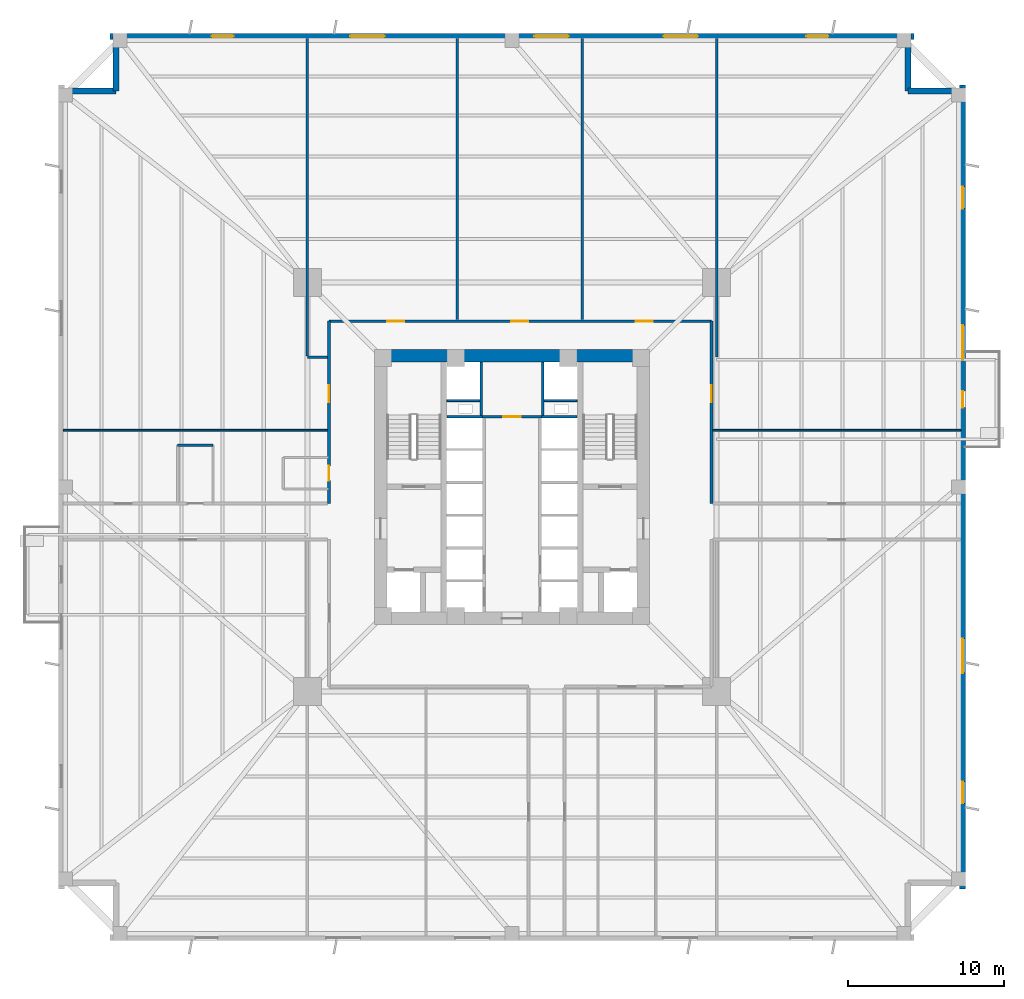
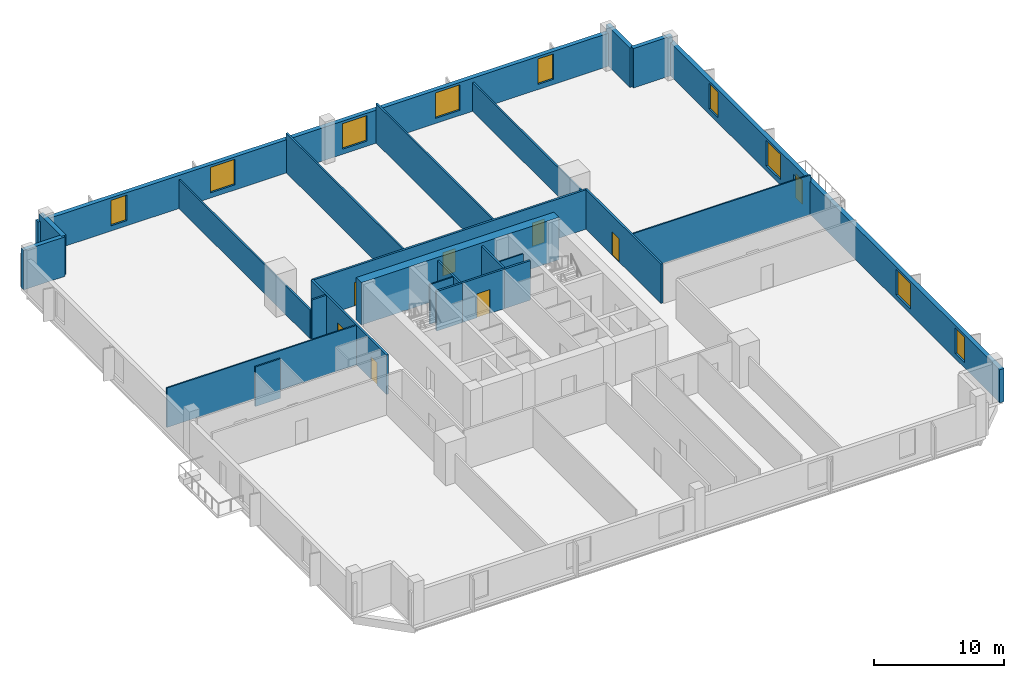
# One storey, part 4 of 9: 25 walls, 9 windows, 8 doors, 17 openings.
"""IFC4 building model written with IfcOpenShell, lengths in metres."""

from ifc_helpers import new_model, si_unit, direction, frame, frame_2d, origin, place, context, subcontext, project, spatial, rectangle, extrude, source, transform, mapped, material, layer, layer_set, type_object, element, fill, save


model = new_model("IFC4")

# Units and contexts
model_context = context("Model", 3, precision=1e-05, world=origin(), true_north=direction((0.0, 1.0)))
body_context = subcontext(model_context, "Body", "Model", "MODEL_VIEW")
ifc_project = project(units=[si_unit("LENGTHUNIT", "METRE"), si_unit("AREAUNIT", "SQUARE_METRE"), si_unit("VOLUMEUNIT", "CUBIC_METRE"), si_unit("PLANEANGLEUNIT", "RADIAN"), si_unit("MASSUNIT", "GRAM", prefix="KILO"), si_unit("THERMODYNAMICTEMPERATUREUNIT", "KELVIN")], contexts=[model_context])

# Site, building, storey
site_placement = place(None, origin())
site = spatial("IfcSite", under=ifc_project, at=site_placement, CompositionType="ELEMENT")
building_placement = place(site_placement, origin())
building = spatial("IfcBuilding", under=site, at=building_placement, Name="Kosmvard Interchange Tower", CompositionType="ELEMENT")
storey_placement = place(building_placement, frame((0.0, 0.0, 70.0)))
storey = spatial("IfcBuildingStorey", under=building, at=storey_placement, Name="L16", CompositionType="ELEMENT", Elevation=70.0)

# Walls
ifc_material_1 = material(Name="Acoustic gypsum partition system")
ifc_layer_1 = layer(ifc_material_1, 0.14990234375, Name="Acoustic gypsum partition system")
ifc_layer_set_1 = layer_set([ifc_layer_1], Name="Acoustic gypsum partition system")
wall_type_1 = type_object("IfcWallType", Name="Acoustic Suite & Meeting Partition 150", PredefinedType="PARTITIONING", material=ifc_layer_set_1)
wall_1_placement = place(storey_placement, frame((-11.794921875, 8.300048828125, 0.0), z_axis=(0.0, 0.0, 1.0), x_axis=(-1.0, 0.0, 0.0)))
element("IfcWall", 1, at=wall_1_placement, inside=storey, type_object=wall_type_1, Name="L16 Room Partition 01.1", PredefinedType="PARTITIONING", context=body_context, shape_type="SweptSolid", body=[
    extrude(rectangle(XDim=1.2861328125, YDim=0.14990234375, at=frame_2d((0.64306640625, 0.0))), origin(), (0.0, 0.0, 1.0), 3.719970703125),
])
wall_2_placement = place(storey_placement, frame((-13.0810546875, 8.375, 0.0), z_axis=(0.0, 0.0, 1.0), x_axis=(0.0, 1.0, 0.0)))
element("IfcWall", 2, at=wall_2_placement, inside=storey, type_object=wall_type_1, Name="L16 Room Partition 02.1", PredefinedType="PARTITIONING", context=body_context, shape_type="SweptSolid", body=[
    extrude(rectangle(XDim=20.31005859375, YDim=0.14990234375, at=frame_2d((10.155029296875, 0.0))), origin(), (0.0, 0.0, 1.0), 2.7119140625),
])
for number, where, z_axis, x_axis, name in (
    (3, (-3.5, 10.695068359375, 0.0), (0.0, 0.0, 1.0), (0.0, 1.0, 0.0), "L16 Room Partition 03.1"),
    (4, (4.5, 10.695068359375, 0.0), (0.0, 0.0, 1.0), (0.0, 1.0, 0.0), "L16 Room Partition 04.1"),
):
    element("IfcWall", number, at=place(storey_placement, frame(where, z_axis=z_axis, x_axis=x_axis)), inside=storey, type_object=wall_type_1, Name=name, PredefinedType="PARTITIONING", context=body_context, shape_type="SweptSolid", body=[
        extrude(rectangle(XDim=17.989990234375, YDim=0.14990234375, at=frame_2d((8.9951171875, 0.0))), origin(), (0.0, 0.0, 1.0), 3.719970703125),
    ])
wall_3_placement = place(storey_placement, frame((13.0810546875, 8.300048828125, 0.0), z_axis=(0.0, 0.0, 1.0), x_axis=(0.0, 1.0, 0.0)))
element("IfcWall", 5, at=wall_3_placement, inside=storey, type_object=wall_type_1, Name="L16 Room Partition 06.1", PredefinedType="PARTITIONING", context=body_context, shape_type="SweptSolid", body=[
    extrude(rectangle(XDim=20.385009765625, YDim=0.14990234375, at=frame_2d((10.1923828125, 0.0))), origin(), (0.0, 0.0, 1.0), 2.7119140625),
])
ifc_material_2 = material(Name="Fire-rated gypsum partition system")
ifc_layer_2 = layer(ifc_material_2, 0.159912109375, Name="Fire-rated gypsum partition system")
ifc_layer_set_2 = layer_set([ifc_layer_2], Name="Fire-rated gypsum partition system")
wall_type_2 = type_object("IfcWallType", Name="Core Compartment & Shuttle Lobby Partition 160", PredefinedType="PARTITIONING", material=ifc_layer_set_2)
for number, where, z_axis, x_axis, name in (
    (6, (-1.9599609375, 4.580078125, 0.0), (0.0, 0.0, 1.0), (0.0, 1.0, 0.0), "L16 North Core West Wall"),
    (7, (1.9599609375, 4.580078125, 0.0), (0.0, 0.0, 1.0), (0.0, 1.0, 0.0), "L16 North Core East Wall"),
):
    element("IfcWall", number, at=place(storey_placement, frame(where, z_axis=z_axis, x_axis=x_axis)), inside=storey, type_object=wall_type_2, Name=name, PredefinedType="PARTITIONING", context=body_context, shape_type="SweptSolid", body=[
        extrude(rectangle(XDim=3.39990234375, YDim=0.159912109375, at=frame_2d((1.699951171875, 0.0))), origin(), (0.0, 0.0, 1.0), 3.719970703125),
    ])

# Wall, opening, door
ifc_layer_3 = layer(ifc_material_2, 0.179931640625, Name="Fire-rated gypsum partition system")
ifc_layer_set_3 = layer_set([ifc_layer_3], Name="Fire-rated gypsum partition system")
wall_type_3 = type_object("IfcWallType", Name="Corridor & Hotel Compartment Partition 180", PredefinedType="PARTITIONING", material=ifc_layer_set_3)
wall_4_placement = place(storey_placement, frame((-1.8798828125, 4.489990234375, 0.0), z_axis=(0.0, 0.0, 1.0), x_axis=(1.0, 0.0, 0.0)))
wall_4 = element("IfcWall", 8, at=wall_4_placement, inside=storey, type_object=wall_type_3, Name="L16 Lift Lobby North Partition", PredefinedType="PARTITIONING", context=body_context, shape_type="SweptSolid", body=[
    extrude(rectangle(XDim=3.759765625, YDim=0.179931640625, at=frame_2d((1.8798828125, 0.0))), origin(), (0.0, 0.0, 1.0), 3.719970703125),
])
opening_1_placement = place(wall_4_placement, frame((1.304931640625, 0.0, 0.0)))
opening_1 = element("IfcOpeningElement", 9, at=opening_1_placement, cuts=wall_4, Name="Opening L16-KD1", PredefinedType="OPENING", context=body_context, shape_type="SweptSolid", body=[
    extrude(rectangle(XDim=1.14990234375, YDim=2.25, at=frame_2d((0.574951171875, 1.125))), frame((0.0, 0.10009765625, 0.0), z_axis=(0.0, -1.0, 0.0), x_axis=(1.0, 0.0, 0.0)), (0.0, 0.0, 1.0), 0.199951171875),
])
ifc_material_3 = material(Name="Painted fire-rated steel leaf", Category="steel")
door_type_1 = type_object("IfcDoorType", Name="Plant & Riser Fire Door 1150x2250 EI60", OperationType="NOTDEFINED", PredefinedType="DOOR", material=ifc_material_3)
shared_shape_1 = source(origin(), body_context, "Body", "SweptSolid", [
    extrude(rectangle(XDim=1.14990234375, YDim=2.25, at=frame_2d((0.574951171875, 1.125))), frame((0.0, 0.02490234375, 0.0), z_axis=(0.0, -1.0, 0.0), x_axis=(1.0, 0.0, 0.0)), (0.0, 0.0, 1.0), 0.050048828125),
])
door_1_placement = place(opening_1_placement, origin())
door_1 = element("IfcDoor", 10, at=door_1_placement, inside=storey, type_object=door_type_1, Name="L16 Core IT Room Door", OperationType="SINGLE_SWING_LEFT", OverallHeight=2.25, OverallWidth=1.14990234375, PredefinedType="DOOR", context=body_context, shape_type="MappedRepresentation", body=[
    mapped(shared_shape_1, transform((0.0, 0.0, 0.0), scale=1.0)),
])
fill(opening_1, door_1)

# Wall, openings, doors
wall_5_placement = place(storey_placement, frame((-11.699951171875, 10.60009765625, 0.0), z_axis=(0.0, 0.0, 1.0), x_axis=(1.0, 0.0, 0.0)))
wall_5 = element("IfcWall", 11, at=wall_5_placement, inside=storey, type_object=wall_type_3, Name="L16 Corridor Wall CN", PredefinedType="PARTITIONING", context=body_context, shape_type="SweptSolid", body=[
    extrude(rectangle(XDim=24.449951171875, YDim=0.179931640625, at=frame_2d((12.22509765625, 0.0))), origin(), (0.0, 0.0, 1.0), 3.719970703125),
])
opening_2_placement = place(wall_5_placement, frame((3.71435546875, 0.0, 0.0)))
opening_2 = element("IfcOpeningElement", 12, at=opening_2_placement, cuts=wall_5, Name="Opening L16-D05", PredefinedType="OPENING", context=body_context, shape_type="SweptSolid", body=[
    extrude(rectangle(XDim=1.10009765625, YDim=2.199951171875, at=frame_2d((0.550048828125, 1.10009765625))), frame((0.0, 0.10009765625, 0.0), z_axis=(0.0, -1.0, 0.0), x_axis=(1.0, 0.0, 0.0)), (0.0, 0.0, 1.0), 0.199951171875),
])
opening_3_placement = place(wall_5_placement, frame((11.64990234375, 0.0, 0.0)))
opening_3 = element("IfcOpeningElement", 13, at=opening_3_placement, cuts=wall_5, Name="Opening L16-D06", PredefinedType="OPENING", context=body_context, shape_type="SweptSolid", body=[
    extrude(rectangle(XDim=1.10009765625, YDim=2.199951171875, at=frame_2d((0.550048828125, 1.10009765625))), frame((0.0, 0.10009765625, 0.0), z_axis=(0.0, -1.0, 0.0), x_axis=(1.0, 0.0, 0.0)), (0.0, 0.0, 1.0), 0.199951171875),
])
opening_4_placement = place(wall_5_placement, frame((19.610595703125, 0.0, 0.0)))
opening_4 = element("IfcOpeningElement", 14, at=opening_4_placement, cuts=wall_5, Name="Opening L16-D07", PredefinedType="OPENING", context=body_context, shape_type="SweptSolid", body=[
    extrude(rectangle(XDim=1.10009765625, YDim=2.199951171875, at=frame_2d((0.550048828125, 1.10009765625))), frame((0.0, 0.10009765625, 0.0), z_axis=(0.0, -1.0, 0.0), x_axis=(1.0, 0.0, 0.0)), (0.0, 0.0, 1.0), 0.199951171875),
])
ifc_material_4 = material(Name="Engineered oak fire-rated timber", Category="wood")
door_type_2 = type_object("IfcDoorType", Name="Office Suite Entrance Door 1100x2200 FD30S", OperationType="NOTDEFINED", PredefinedType="DOOR", material=ifc_material_4)
shared_shape_2 = source(origin(), body_context, "Body", "SweptSolid", [
    extrude(rectangle(XDim=1.10009765625, YDim=2.199951171875, at=frame_2d((0.550048828125, 1.10009765625))), frame((0.0, 0.02490234375, 0.0), z_axis=(0.0, -1.0, 0.0), x_axis=(1.0, 0.0, 0.0)), (0.0, 0.0, 1.0), 0.050048828125),
])
door_2_placement = place(opening_2_placement, origin())
door_2 = element("IfcDoor", 15, at=door_2_placement, inside=storey, type_object=door_type_2, Name="L16 Staff Fitness Gym Door", OperationType="SINGLE_SWING_LEFT", OverallHeight=2.199951171875, OverallWidth=1.10009765625, PredefinedType="DOOR", context=body_context, shape_type="MappedRepresentation", body=[
    mapped(shared_shape_2, transform((0.0, 0.0, 0.0), scale=1.0)),
])
fill(opening_2, door_2)
door_3_placement = place(opening_3_placement, origin())
door_3 = element("IfcDoor", 16, at=door_3_placement, inside=storey, type_object=door_type_2, Name="L16 Transit Heritage Library Door", OperationType="SINGLE_SWING_RIGHT", OverallHeight=2.199951171875, OverallWidth=1.10009765625, PredefinedType="DOOR", context=body_context, shape_type="MappedRepresentation", body=[
    mapped(shared_shape_2, transform((0.0, 0.0, 0.0), scale=1.0)),
])
fill(opening_3, door_3)
door_4_placement = place(opening_4_placement, origin())
door_4 = element("IfcDoor", 17, at=door_4_placement, inside=storey, type_object=door_type_2, Name="L16 Staff Bistro Cafe Door", OperationType="SINGLE_SWING_LEFT", OverallHeight=2.199951171875, OverallWidth=1.10009765625, PredefinedType="DOOR", context=body_context, shape_type="MappedRepresentation", body=[
    mapped(shared_shape_2, transform((0.0, 0.0, 0.0), scale=1.0)),
])
fill(opening_4, door_4)

wall_6_placement = place(storey_placement, frame((-11.699951171875, -1.050048828125, 0.0), z_axis=(0.0, 0.0, 1.0), x_axis=(0.0, 1.0, 0.0)))
wall_6 = element("IfcWall", 18, at=wall_6_placement, inside=storey, type_object=wall_type_3, Name="L16 Corridor Wall CWN", PredefinedType="PARTITIONING", context=body_context, shape_type="SweptSolid", body=[
    extrude(rectangle(XDim=11.650146484375, YDim=0.179931640625, at=frame_2d((5.8251953125, 0.0))), origin(), (0.0, 0.0, 1.0), 3.719970703125),
])
opening_5_placement = place(wall_6_placement, frame((1.455078125, 0.0, 0.0)))
opening_5 = element("IfcOpeningElement", 19, at=opening_5_placement, cuts=wall_6, Name="Opening L16-D01", PredefinedType="OPENING", context=body_context, shape_type="SweptSolid", body=[
    extrude(rectangle(XDim=0.949951171875, YDim=2.10009765625, at=frame_2d((0.47509765625, 1.050048828125))), frame((0.0, 0.10009765625, 0.0), z_axis=(0.0, -1.0, 0.0), x_axis=(1.0, 0.0, 0.0)), (0.0, 0.0, 1.0), 0.199951171875),
])
opening_6_placement = place(wall_6_placement, frame((6.46240234375, 0.0, 0.0)))
opening_6 = element("IfcOpeningElement", 20, at=opening_6_placement, cuts=wall_6, Name="Opening L16-D04", PredefinedType="OPENING", context=body_context, shape_type="SweptSolid", body=[
    extrude(rectangle(XDim=1.10009765625, YDim=2.199951171875, at=frame_2d((0.550048828125, 1.10009765625))), frame((0.0, 0.10009765625, 0.0), z_axis=(0.0, -1.0, 0.0), x_axis=(1.0, 0.0, 0.0)), (0.0, 0.0, 1.0), 0.199951171875),
])
ifc_material_5 = material(Name="Laminated moisture-resistant timber", Category="wood")
door_type_3 = type_object("IfcDoorType", Name="Accessible Washroom Door 950x2100", OperationType="NOTDEFINED", PredefinedType="DOOR", material=ifc_material_5)
shared_shape_3 = source(origin(), body_context, "Body", "SweptSolid", [
    extrude(rectangle(XDim=0.949951171875, YDim=2.10009765625, at=frame_2d((0.47509765625, 1.050048828125))), frame((0.0, 0.02490234375, 0.0), z_axis=(0.0, -1.0, 0.0), x_axis=(1.0, 0.0, 0.0)), (0.0, 0.0, 1.0), 0.050048828125),
])
door_5_placement = place(opening_5_placement, origin())
door_5 = element("IfcDoor", 21, at=door_5_placement, inside=storey, type_object=door_type_3, Name="L16 Accessible Toilet Door", OperationType="SINGLE_SWING_LEFT", OverallHeight=2.10009765625, OverallWidth=0.949951171875, PredefinedType="DOOR", context=body_context, shape_type="MappedRepresentation", body=[
    mapped(shared_shape_3, transform((0.0, 0.0, 0.0), scale=1.0)),
])
fill(opening_5, door_5)
door_6_placement = place(opening_6_placement, origin())
door_6 = element("IfcDoor", 22, at=door_6_placement, inside=storey, type_object=door_type_2, Name="L16 West Health Advisory Office Door", OperationType="SINGLE_SWING_RIGHT", OverallHeight=2.199951171875, OverallWidth=1.10009765625, PredefinedType="DOOR", context=body_context, shape_type="MappedRepresentation", body=[
    mapped(shared_shape_2, transform((0.0, 0.0, 0.0), scale=1.0)),
])
fill(opening_6, door_6)

# Wall, opening, door
wall_7_placement = place(storey_placement, frame((12.75, -1.050048828125, 0.0), z_axis=(0.0, 0.0, 1.0), x_axis=(0.0, 1.0, 0.0)))
wall_7 = element("IfcWall", 23, at=wall_7_placement, inside=storey, type_object=wall_type_3, Name="L16 Corridor Wall CEN", PredefinedType="PARTITIONING", context=body_context, shape_type="SweptSolid", body=[
    extrude(rectangle(XDim=11.650146484375, YDim=0.179931640625, at=frame_2d((5.8251953125, 0.0))), origin(), (0.0, 0.0, 1.0), 3.719970703125),
])
opening_7_placement = place(wall_7_placement, frame((6.46240234375, 0.0, 0.0)))
opening_7 = element("IfcOpeningElement", 24, at=opening_7_placement, cuts=wall_7, Name="Opening L16-D09", PredefinedType="OPENING", context=body_context, shape_type="SweptSolid", body=[
    extrude(rectangle(XDim=1.10009765625, YDim=2.199951171875, at=frame_2d((0.550048828125, 1.10009765625))), frame((0.0, 0.10009765625, 0.0), z_axis=(0.0, -1.0, 0.0), x_axis=(1.0, 0.0, 0.0)), (0.0, 0.0, 1.0), 0.199951171875),
])
door_7_placement = place(opening_7_placement, frame((1.10009765625, 0.0, 0.0), z_axis=(0.0, 0.0, 1.0), x_axis=(-1.0, 0.0, 0.0)))
door_7 = element("IfcDoor", 25, at=door_7_placement, inside=storey, type_object=door_type_2, Name="L16 East Operations Office 2 Door", OperationType="SINGLE_SWING_LEFT", OverallHeight=2.199951171875, OverallWidth=1.10009765625, PredefinedType="DOOR", context=body_context, shape_type="MappedRepresentation", body=[
    mapped(shared_shape_2, transform((0.0, 0.0, 0.0), scale=1.0)),
])
fill(opening_7, door_7)

# Wall
ifc_material_6 = material(Name="Concrete C80/95", Category="concrete")
ifc_layer_4 = layer(ifc_material_6, 0.800048828125, Name="Concrete C80/95")
ifc_layer_set_4 = layer_set([ifc_layer_4], Name="Concrete C80/95")
wall_type_4 = type_object("IfcWallType", Name="Lower Core Shear Wall 800 C80/95", PredefinedType="SHEAR", material=ifc_layer_set_4)
wall_8_placement = place(storey_placement, frame((-8.800048828125, 8.39990234375, 0.0), z_axis=(0.0, 0.0, 1.0), x_axis=(1.0, 0.0, 0.0)))
element("IfcWall", 26, at=wall_8_placement, inside=storey, type_object=wall_type_4, Name="L16 Core Shear Wall CW-N", PredefinedType="SHEAR", context=body_context, shape_type="SweptSolid", body=[
    extrude(rectangle(XDim=17.60009765625, YDim=0.800048828125, at=frame_2d((8.800048828125, 0.0))), origin(), (0.0, 0.0, 1.0), 4.0),
])

# Wall, openings, door, windows
ifc_material_7 = material(Name="Precast concrete C45/55", Category="concrete")
ifc_layer_5 = layer(ifc_material_7, 0.3798828125, Name="Precast concrete C45/55")
ifc_layer_set_5 = layer_set([ifc_layer_5], Name="Precast concrete C45/55")
wall_type_5 = type_object("IfcWallType", Name="Lower Tower Precast Pier Wall 380 C45/55", PredefinedType="STANDARD", material=ifc_layer_set_5)
wall_9_placement = place(storey_placement, frame((28.81005859375, -25.68994140625, 0.0), z_axis=(0.0, 0.0, 1.0), x_axis=(0.0, 1.0, 0.0)))
wall_9 = element("IfcWall", 27, at=wall_9_placement, inside=storey, type_object=wall_type_5, Name="L16 Precast Facade Wall F-E", PredefinedType="STANDARD", context=body_context, shape_type="SweptSolid", body=[
    extrude(rectangle(XDim=51.3798828125, YDim=0.3798828125, at=frame_2d((25.68994140625, 0.0))), origin(), (0.0, 0.0, 1.0), 3.1201171875),
])
opening_8_placement = place(wall_9_placement, frame((30.764892578125, 0.0, 0.0)))
opening_8 = element("IfcOpeningElement", 28, at=opening_8_placement, cuts=wall_9, Name="Opening L16-BDE", PredefinedType="OPENING", context=body_context, shape_type="SweptSolid", body=[
    extrude(rectangle(XDim=1.050048828125, YDim=2.25, at=frame_2d((0.52490234375, 1.125))), frame((0.0, 0.199951171875, 0.0), z_axis=(0.0, -1.0, 0.0), x_axis=(1.0, 0.0, 0.0)), (0.0, 0.0, 1.0), 0.39990234375),
])
opening_9_placement = place(wall_9_placement, frame((5.465576171875, 0.0, 0.489990234375)))
opening_9 = element("IfcOpeningElement", 29, at=opening_9_placement, cuts=wall_9, Name="Opening L16-W06", PredefinedType="OPENING", context=body_context, shape_type="SweptSolid", body=[
    extrude(rectangle(XDim=1.39990234375, YDim=2.39990234375, at=frame_2d((0.699951171875, 1.199951171875))), frame((0.0, 0.199951171875, 0.0), z_axis=(0.0, -1.0, 0.0), x_axis=(1.0, 0.0, 0.0)), (0.0, 0.0, 1.0), 0.39990234375),
])
opening_10_placement = place(wall_9_placement, frame((13.80029296875, 0.0, 0.489990234375)))
opening_10 = element("IfcOpeningElement", 30, at=opening_10_placement, cuts=wall_9, Name="Opening L16-W07", PredefinedType="OPENING", context=body_context, shape_type="SweptSolid", body=[
    extrude(rectangle(XDim=2.199951171875, YDim=2.39990234375, at=frame_2d((1.10009765625, 1.199951171875))), frame((0.0, 0.199951171875, 0.0), z_axis=(0.0, -1.0, 0.0), x_axis=(1.0, 0.0, 0.0)), (0.0, 0.0, 1.0), 0.39990234375),
])
opening_11_placement = place(wall_9_placement, frame((33.83837890625, 0.0, 0.489990234375)))
opening_11 = element("IfcOpeningElement", 31, at=opening_11_placement, cuts=wall_9, Name="Opening L16-W08", PredefinedType="OPENING", context=body_context, shape_type="SweptSolid", body=[
    extrude(rectangle(XDim=2.199951171875, YDim=2.39990234375, at=frame_2d((1.10009765625, 1.199951171875))), frame((0.0, 0.199951171875, 0.0), z_axis=(0.0, -1.0, 0.0), x_axis=(1.0, 0.0, 0.0)), (0.0, 0.0, 1.0), 0.39990234375),
])
opening_12_placement = place(wall_9_placement, frame((43.48681640625, 0.0, 0.489990234375)))
opening_12 = element("IfcOpeningElement", 32, at=opening_12_placement, cuts=wall_9, Name="Opening L16-W09", PredefinedType="OPENING", context=body_context, shape_type="SweptSolid", body=[
    extrude(rectangle(XDim=1.39990234375, YDim=2.39990234375, at=frame_2d((0.699951171875, 1.199951171875))), frame((0.0, 0.199951171875, 0.0), z_axis=(0.0, -1.0, 0.0), x_axis=(1.0, 0.0, 0.0)), (0.0, 0.0, 1.0), 0.39990234375),
])
ifc_material_8 = material(Name="Anodised aluminium and safety glass", Category="aluminium")
door_type_4 = type_object("IfcDoorType", Name="Tree-Balcony Glazed Door 1050x2250", OperationType="NOTDEFINED", PredefinedType="DOOR", material=ifc_material_8)
shared_shape_4 = source(origin(), body_context, "Body", "SweptSolid", [
    extrude(rectangle(XDim=1.050048828125, YDim=2.25, at=frame_2d((0.52490234375, 1.125))), frame((0.0, 0.02490234375, 0.0), z_axis=(0.0, -1.0, 0.0), x_axis=(1.0, 0.0, 0.0)), (0.0, 0.0, 1.0), 0.050048828125),
])
door_8_placement = place(opening_8_placement, origin())
door_8 = element("IfcDoor", 33, at=door_8_placement, inside=storey, type_object=door_type_4, Name="L16 Tree-Balcony Door BAL-L16-E", OperationType="SINGLE_SWING_LEFT", OverallHeight=2.25, OverallWidth=1.050048828125, PredefinedType="DOOR", context=body_context, shape_type="MappedRepresentation", body=[
    mapped(shared_shape_4, transform((0.0, 0.0, 0.0), scale=1.0)),
])
fill(opening_8, door_8)
ifc_material_9 = material(Name="Low-E solar-control double glazing", Category="glass")
window_type_1 = type_object("IfcWindowType", Name="Notched Corner Feature Window 1400x2400", PartitioningType="SINGLE_PANEL", PredefinedType="WINDOW", material=ifc_material_9)
shared_shape_5 = source(origin(), body_context, "Body", "SweptSolid", [
    extrude(rectangle(XDim=1.39990234375, YDim=2.39990234375, at=frame_2d((0.699951171875, 1.199951171875))), frame((0.0, 0.030029296875, 0.0), z_axis=(0.0, -1.0, 0.0), x_axis=(1.0, 0.0, 0.0)), (0.0, 0.0, 1.0), 0.06005859375),
])
window_1_placement = place(opening_9_placement, origin())
window_1 = element("IfcWindow", 34, at=window_1_placement, inside=storey, type_object=window_type_1, Name="L16 Facade Punched Window 06", OverallHeight=2.39990234375, OverallWidth=1.39990234375, PartitioningType="SINGLE_PANEL", PredefinedType="WINDOW", context=body_context, shape_type="MappedRepresentation", body=[
    mapped(shared_shape_5, transform((0.0, 0.0, 0.0), scale=1.0)),
])
fill(opening_9, window_1)
window_2_placement = place(opening_12_placement, origin())
window_2 = element("IfcWindow", 35, at=window_2_placement, inside=storey, type_object=window_type_1, Name="L16 Facade Punched Window 09", OverallHeight=2.39990234375, OverallWidth=1.39990234375, PartitioningType="SINGLE_PANEL", PredefinedType="WINDOW", context=body_context, shape_type="MappedRepresentation", body=[
    mapped(shared_shape_5, transform((0.0, 0.0, 0.0), scale=1.0)),
])
fill(opening_12, window_2)
window_type_2 = type_object("IfcWindowType", Name="Zone 1 Office Punched Window 2200x2400", PartitioningType="SINGLE_PANEL", PredefinedType="WINDOW", material=ifc_material_9)
shared_shape_6 = source(origin(), body_context, "Body", "SweptSolid", [
    extrude(rectangle(XDim=2.199951171875, YDim=2.39990234375, at=frame_2d((1.10009765625, 1.199951171875))), frame((0.0, 0.030029296875, 0.0), z_axis=(0.0, -1.0, 0.0), x_axis=(1.0, 0.0, 0.0)), (0.0, 0.0, 1.0), 0.06005859375),
])
window_3_placement = place(opening_10_placement, origin())
window_3 = element("IfcWindow", 36, at=window_3_placement, inside=storey, type_object=window_type_2, Name="L16 Facade Punched Window 07", OverallHeight=2.39990234375, OverallWidth=2.199951171875, PartitioningType="SINGLE_PANEL", PredefinedType="WINDOW", context=body_context, shape_type="MappedRepresentation", body=[
    mapped(shared_shape_6, transform((0.0, 0.0, 0.0), scale=1.0)),
])
fill(opening_10, window_3)
window_4_placement = place(opening_11_placement, origin())
window_4 = element("IfcWindow", 37, at=window_4_placement, inside=storey, type_object=window_type_2, Name="L16 Facade Punched Window 08", OverallHeight=2.39990234375, OverallWidth=2.199951171875, PartitioningType="SINGLE_PANEL", PredefinedType="WINDOW", context=body_context, shape_type="MappedRepresentation", body=[
    mapped(shared_shape_6, transform((0.0, 0.0, 0.0), scale=1.0)),
])
fill(opening_11, window_4)

# Walls
wall_10_placement = place(storey_placement, frame((28.81005859375, 25.31005859375, 0.0), z_axis=(0.0, 0.0, 1.0), x_axis=(-1.0, 0.0, 0.0)))
element("IfcWall", 38, at=wall_10_placement, inside=storey, type_object=wall_type_5, Name="L16 Precast Facade Wall N-NE1", PredefinedType="STANDARD", context=body_context, shape_type="SweptSolid", body=[
    extrude(rectangle(XDim=3.5, YDim=0.3798828125, at=frame_2d((1.75, 0.0))), origin(), (0.0, 0.0, 1.0), 3.719970703125),
])
wall_11_placement = place(storey_placement, frame((25.31005859375, 25.31005859375, 0.0), z_axis=(0.0, 0.0, 1.0), x_axis=(0.0, 1.0, 0.0)))
element("IfcWall", 39, at=wall_11_placement, inside=storey, type_object=wall_type_5, Name="L16 Precast Facade Wall N-NE2", PredefinedType="STANDARD", context=body_context, shape_type="SweptSolid", body=[
    extrude(rectangle(XDim=3.68994140625, YDim=0.3798828125, at=frame_2d((1.844970703125, 0.0))), origin(), (0.0, 0.0, 1.0), 3.719970703125),
])

# Wall, openings, windows
wall_12_placement = place(storey_placement, frame((25.68994140625, 28.81005859375, 0.0), z_axis=(0.0, 0.0, 1.0), x_axis=(-1.0, 0.0, 0.0)))
wall_12 = element("IfcWall", 40, at=wall_12_placement, inside=storey, type_object=wall_type_5, Name="L16 Precast Facade Wall F-N", PredefinedType="STANDARD", context=body_context, shape_type="SweptSolid", body=[
    extrude(rectangle(XDim=51.3798828125, YDim=0.3798828125, at=frame_2d((25.68994140625, 0.0))), origin(), (0.0, 0.0, 1.0), 3.1201171875),
])
opening_13_placement = place(wall_12_placement, frame((5.465576171875, 0.0, 0.489990234375)))
opening_13 = element("IfcOpeningElement", 41, at=opening_13_placement, cuts=wall_12, Name="Opening L16-W10", PredefinedType="OPENING", context=body_context, shape_type="SweptSolid", body=[
    extrude(rectangle(XDim=1.39990234375, YDim=2.39990234375, at=frame_2d((0.699951171875, 1.199951171875))), frame((0.0, 0.199951171875, 0.0), z_axis=(0.0, -1.0, 0.0), x_axis=(1.0, 0.0, 0.0)), (0.0, 0.0, 1.0), 0.39990234375),
])
opening_14_placement = place(wall_12_placement, frame((13.80029296875, 0.0, 0.489990234375)))
opening_14 = element("IfcOpeningElement", 42, at=opening_14_placement, cuts=wall_12, Name="Opening L16-W11", PredefinedType="OPENING", context=body_context, shape_type="SweptSolid", body=[
    extrude(rectangle(XDim=2.199951171875, YDim=2.39990234375, at=frame_2d((1.10009765625, 1.199951171875))), frame((0.0, 0.199951171875, 0.0), z_axis=(0.0, -1.0, 0.0), x_axis=(1.0, 0.0, 0.0)), (0.0, 0.0, 1.0), 0.39990234375),
])
opening_15_placement = place(wall_12_placement, frame((22.0625, 0.0, 0.489990234375)))
opening_15 = element("IfcOpeningElement", 43, at=opening_15_placement, cuts=wall_12, Name="Opening L16-W12", PredefinedType="OPENING", context=body_context, shape_type="SweptSolid", body=[
    extrude(rectangle(XDim=2.199951171875, YDim=2.39990234375, at=frame_2d((1.10009765625, 1.199951171875))), frame((0.0, 0.199951171875, 0.0), z_axis=(0.0, -1.0, 0.0), x_axis=(1.0, 0.0, 0.0)), (0.0, 0.0, 1.0), 0.39990234375),
])
opening_16_placement = place(wall_12_placement, frame((33.83837890625, 0.0, 0.489990234375)))
opening_16 = element("IfcOpeningElement", 44, at=opening_16_placement, cuts=wall_12, Name="Opening L16-W13", PredefinedType="OPENING", context=body_context, shape_type="SweptSolid", body=[
    extrude(rectangle(XDim=2.199951171875, YDim=2.39990234375, at=frame_2d((1.10009765625, 1.199951171875))), frame((0.0, 0.199951171875, 0.0), z_axis=(0.0, -1.0, 0.0), x_axis=(1.0, 0.0, 0.0)), (0.0, 0.0, 1.0), 0.39990234375),
])
opening_17_placement = place(wall_12_placement, frame((43.48681640625, 0.0, 0.489990234375)))
opening_17 = element("IfcOpeningElement", 45, at=opening_17_placement, cuts=wall_12, Name="Opening L16-W14", PredefinedType="OPENING", context=body_context, shape_type="SweptSolid", body=[
    extrude(rectangle(XDim=1.39990234375, YDim=2.39990234375, at=frame_2d((0.699951171875, 1.199951171875))), frame((0.0, 0.199951171875, 0.0), z_axis=(0.0, -1.0, 0.0), x_axis=(1.0, 0.0, 0.0)), (0.0, 0.0, 1.0), 0.39990234375),
])
window_5_placement = place(opening_13_placement, origin())
window_5 = element("IfcWindow", 46, at=window_5_placement, inside=storey, type_object=window_type_1, Name="L16 Facade Punched Window 10", OverallHeight=2.39990234375, OverallWidth=1.39990234375, PartitioningType="SINGLE_PANEL", PredefinedType="WINDOW", context=body_context, shape_type="MappedRepresentation", body=[
    mapped(shared_shape_5, transform((0.0, 0.0, 0.0), scale=1.0)),
])
fill(opening_13, window_5)
window_6_placement = place(opening_17_placement, origin())
window_6 = element("IfcWindow", 47, at=window_6_placement, inside=storey, type_object=window_type_1, Name="L16 Facade Punched Window 14", OverallHeight=2.39990234375, OverallWidth=1.39990234375, PartitioningType="SINGLE_PANEL", PredefinedType="WINDOW", context=body_context, shape_type="MappedRepresentation", body=[
    mapped(shared_shape_5, transform((0.0, 0.0, 0.0), scale=1.0)),
])
fill(opening_17, window_6)
window_7_placement = place(opening_14_placement, origin())
window_7 = element("IfcWindow", 48, at=window_7_placement, inside=storey, type_object=window_type_2, Name="L16 Facade Punched Window 11", OverallHeight=2.39990234375, OverallWidth=2.199951171875, PartitioningType="SINGLE_PANEL", PredefinedType="WINDOW", context=body_context, shape_type="MappedRepresentation", body=[
    mapped(shared_shape_6, transform((0.0, 0.0, 0.0), scale=1.0)),
])
fill(opening_14, window_7)
window_8_placement = place(opening_15_placement, origin())
window_8 = element("IfcWindow", 49, at=window_8_placement, inside=storey, type_object=window_type_2, Name="L16 Facade Punched Window 12", OverallHeight=2.39990234375, OverallWidth=2.199951171875, PartitioningType="SINGLE_PANEL", PredefinedType="WINDOW", context=body_context, shape_type="MappedRepresentation", body=[
    mapped(shared_shape_6, transform((0.0, 0.0, 0.0), scale=1.0)),
])
fill(opening_15, window_8)
window_9_placement = place(opening_16_placement, origin())
window_9 = element("IfcWindow", 50, at=window_9_placement, inside=storey, type_object=window_type_2, Name="L16 Facade Punched Window 13", OverallHeight=2.39990234375, OverallWidth=2.199951171875, PartitioningType="SINGLE_PANEL", PredefinedType="WINDOW", context=body_context, shape_type="MappedRepresentation", body=[
    mapped(shared_shape_6, transform((0.0, 0.0, 0.0), scale=1.0)),
])
fill(opening_16, window_9)

# Walls
wall_13_placement = place(storey_placement, frame((-25.31005859375, 28.81005859375, 0.0), z_axis=(0.0, 0.0, 1.0), x_axis=(0.0, -1.0, 0.0)))
element("IfcWall", 51, at=wall_13_placement, inside=storey, type_object=wall_type_5, Name="L16 Precast Facade Wall N-NW1", PredefinedType="STANDARD", context=body_context, shape_type="SweptSolid", body=[
    extrude(rectangle(XDim=3.5, YDim=0.3798828125, at=frame_2d((1.75, 0.0))), origin(), (0.0, 0.0, 1.0), 3.719970703125),
])
wall_14_placement = place(storey_placement, frame((-25.31005859375, 25.31005859375, 0.0), z_axis=(0.0, 0.0, 1.0), x_axis=(-1.0, 0.0, 0.0)))
element("IfcWall", 52, at=wall_14_placement, inside=storey, type_object=wall_type_5, Name="L16 Precast Facade Wall N-NW2", PredefinedType="STANDARD", context=body_context, shape_type="SweptSolid", body=[
    extrude(rectangle(XDim=3.68994140625, YDim=0.3798828125, at=frame_2d((1.844970703125, 0.0))), origin(), (0.0, 0.0, 1.0), 3.719970703125),
])
ifc_material_10 = material(Name="Gypsum board partition system")
ifc_layer_6 = layer(ifc_material_10, 0.1201171875, Name="Gypsum board partition system")
ifc_layer_set_6 = layer_set([ifc_layer_6], Name="Gypsum board partition system")
wall_type_6 = type_object("IfcWallType", Name="Office Cellular Partition 120", PredefinedType="PARTITIONING", material=ifc_layer_set_6)
wall_15_placement = place(storey_placement, frame((-28.68505859375, 3.625, 0.0), z_axis=(0.0, 0.0, 1.0), x_axis=(1.0, 0.0, 0.0)))
element("IfcWall", 53, at=wall_15_placement, inside=storey, type_object=wall_type_6, Name="L16 Room Partition 07.1", PredefinedType="PARTITIONING", context=body_context, shape_type="SweptSolid", body=[
    extrude(rectangle(XDim=16.89013671875, YDim=0.1201171875, at=frame_2d((8.445068359375, 0.0))), origin(), (0.0, 0.0, 1.0), 3.719970703125),
])
wall_16_placement = place(storey_placement, frame((12.844970703125, 3.625, 0.0), z_axis=(0.0, 0.0, 1.0), x_axis=(1.0, 0.0, 0.0)))
element("IfcWall", 54, at=wall_16_placement, inside=storey, type_object=wall_type_6, Name="L16 Room Partition 08.1", PredefinedType="PARTITIONING", context=body_context, shape_type="SweptSolid", body=[
    extrude(rectangle(XDim=15.840087890625, YDim=0.1201171875, at=frame_2d((7.919921875, 0.0))), origin(), (0.0, 0.0, 1.0), 3.719970703125),
])
ifc_material_11 = material(Name="Concrete blockwork masonry", Category="masonry")
ifc_layer_7 = layer(ifc_material_11, 0.179931640625, Name="Concrete blockwork masonry")
ifc_layer_set_7 = layer_set([ifc_layer_7], Name="Concrete blockwork masonry")
wall_type_7 = type_object("IfcWallType", Name="Riser & Lift Bank Divider Wall 180", PredefinedType="PARTITIONING", material=ifc_layer_set_7)
for number, where, z_axis, x_axis, name in (
    (55, (-4.169921875, 4.489990234375, 0.0), (0.0, 0.0, 1.0), (1.0, 0.0, 0.0), "L16 West Bank Divider BD3"),
    (56, (1.889892578125, 4.489990234375, 0.0), (0.0, 0.0, 1.0), (1.0, 0.0, 0.0), "L16 East Bank Divider BD3"),
):
    element("IfcWall", number, at=place(storey_placement, frame(where, z_axis=z_axis, x_axis=x_axis)), inside=storey, type_object=wall_type_7, Name=name, PredefinedType="PARTITIONING", context=body_context, shape_type="SweptSolid", body=[
        extrude(rectangle(XDim=2.280029296875, YDim=0.179931640625, at=frame_2d((1.14013671875, 0.0))), origin(), (0.0, 0.0, 1.0), 3.719970703125),
    ])
ifc_material_12 = material(Name="Fire-rated gypsum shaftwall system")
ifc_layer_8 = layer(ifc_material_12, 0.1201171875, Name="Fire-rated gypsum shaftwall system")
ifc_layer_set_8 = layer_set([ifc_layer_8], Name="Fire-rated gypsum shaftwall system")
wall_type_8 = type_object("IfcWallType", Name="Shaft & Riser Fire Partition 120 EI60", PredefinedType="PARTITIONING", material=ifc_layer_set_8)
for number, where, z_axis, x_axis, name in (
    (57, (-4.159912109375, 5.52001953125, 0.0), (0.0, 0.0, 1.0), (1.0, 0.0, 0.0), "L16 Riser Shaft Divider W"),
    (58, (2.06005859375, 5.52001953125, 0.0), (0.0, 0.0, 1.0), (1.0, 0.0, 0.0), "L16 Riser Shaft Divider E"),
):
    element("IfcWall", number, at=place(storey_placement, frame(where, z_axis=z_axis, x_axis=x_axis)), inside=storey, type_object=wall_type_8, Name=name, PredefinedType="PARTITIONING", context=body_context, shape_type="SweptSolid", body=[
        extrude(rectangle(XDim=2.099853515625, YDim=0.1201171875, at=frame_2d((1.0498046875, 0.0))), origin(), (0.0, 0.0, 1.0), 3.719970703125),
    ])
ifc_material_13 = material(Name="Moisture-resistant gypsum partition")
ifc_layer_9 = layer(ifc_material_13, 0.135009765625, Name="Moisture-resistant gypsum partition")
ifc_layer_set_9 = layer_set([ifc_layer_9], Name="Moisture-resistant gypsum partition")
wall_type_9 = type_object("IfcWallType", Name="Wet Room Moisture-Resistant Partition 135", PredefinedType="PARTITIONING", material=ifc_layer_set_9)
wall_17_placement = place(storey_placement, frame((-21.367431640625, 2.669921875, 0.0), z_axis=(0.0, 0.0, 1.0), x_axis=(1.0, 0.0, 0.0)))
element("IfcWall", 59, at=wall_17_placement, inside=storey, type_object=wall_type_9, Name="L16 Washroom Partition WC1-N", PredefinedType="PARTITIONING", context=body_context, shape_type="SweptSolid", body=[
    extrude(rectangle(XDim=2.25, YDim=0.135009765625, at=frame_2d((1.125, 0.0))), origin(), (0.0, 0.0, 1.0), 3.719970703125),
])

save(model, "model.ifc")
